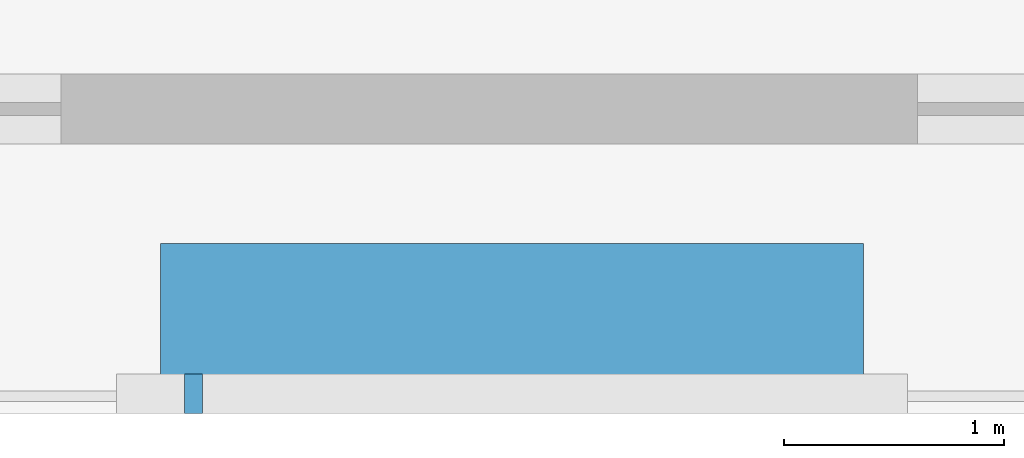
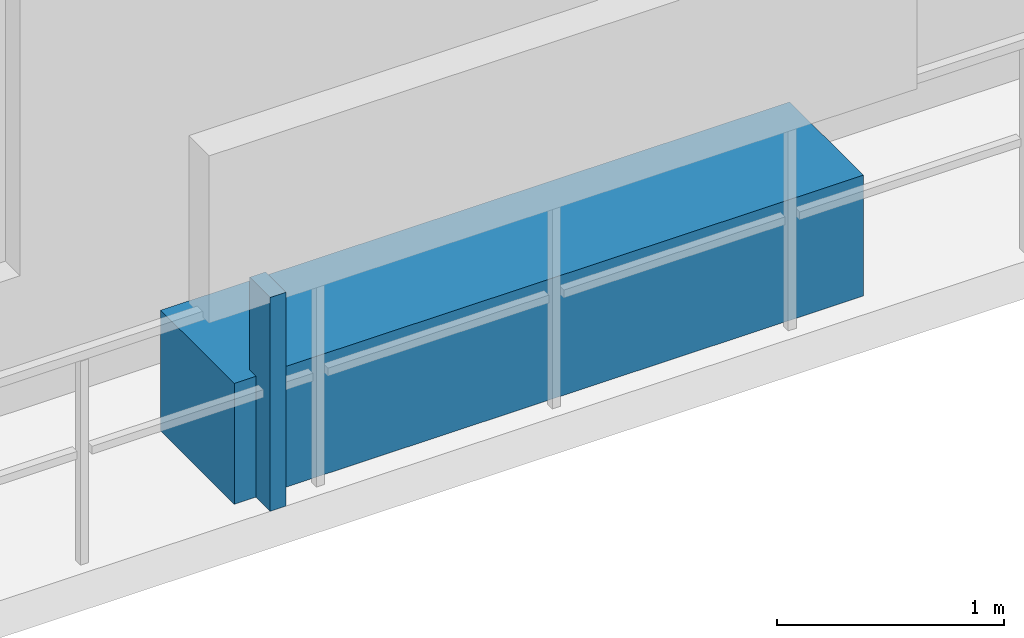
# One storey, part 28 of 33: 2 discrete accessories.
"""IFC4 building model written with IfcOpenShell, lengths in metres."""

import ifcopenshell
import ifcopenshell.guid

model = None  # the IFC model being written
_history = None  # IfcOwnerHistory: only IFC2X3 demands one
_inside = {}  # id of a spatial element -> (the spatial element, [elements in it])
_under = {}  # id of a project, library or spatial element -> (it, [spatial elements below it])
_declared = {}  # id of a project -> (the project, [libraries it declares])
_typed = {}  # id of a type object -> (the type object, [elements of that type])
_made_of = {}  # id of a material, layer set ... -> (it, [elements and type objects made of it])


def new_model(schema):
    """Start an empty IFC model of exactly this schema.

    Asked for "IFC4X3", IfcOpenShell would pick the latest addendum, in which some entities
    have other attributes; the version numbers below select the first issue.
    IFC2X3 requires an IfcOwnerHistory on every rooted entity: one is made here for all.
    """
    global model, _history
    if schema == "IFC4X3":
        model = ifcopenshell.file(schema_version=(4, 3, 0, 0))
    else:
        model = ifcopenshell.file(schema=schema)
    _inside.clear()
    _under.clear()
    _declared.clear()
    _typed.clear()
    _made_of.clear()
    _history = None
    if model.schema == "IFC2X3":
        org = make("IfcOrganization", Name="unknown")
        user = make(
            "IfcPersonAndOrganization",
            ThePerson=make("IfcPerson", FamilyName="unknown"),
            TheOrganization=org,
        )
        app = make(
            "IfcApplication",
            ApplicationDeveloper=org,
            Version="unknown",
            ApplicationFullName="unknown",
            ApplicationIdentifier="unknown",
        )
        _history = make(
            "IfcOwnerHistory",
            OwningUser=user,
            OwningApplication=app,
            ChangeAction="ADDED",
            CreationDate=0,
        )
    return model


def make(cls, **values):
    """One entity of the class cls with the attributes given. An attribute that is None is left unset."""
    return model.create_entity(
        cls, **{name: value for name, value in values.items() if value is not None}
    )


def rooted(cls, **values):
    """An entity with a GlobalId (a new one), such as an element, a storey or a relation."""
    return make(cls, GlobalId=ifcopenshell.guid.new(), OwnerHistory=_history, **values)


def si_unit(unit_type, name, prefix=None):
    """IfcSIUnit, for example si_unit("LENGTHUNIT", "METRE", prefix="MILLI")."""
    return make("IfcSIUnit", UnitType=unit_type, Prefix=prefix, Name=name)


def assignment(units):
    """IfcUnitAssignment: the units of a project."""
    return None if units is None else make("IfcUnitAssignment", Units=units)


def point(xyz):
    """IfcCartesianPoint."""
    return None if xyz is None else make("IfcCartesianPoint", Coordinates=xyz)


def direction(xyz):
    """IfcDirection."""
    return None if xyz is None else make("IfcDirection", DirectionRatios=xyz)


def frame(location, z_axis=None, x_axis=None):
    """IfcAxis2Placement3D, a coordinate frame: its origin and axes. An axis left out is left unset."""
    return make(
        "IfcAxis2Placement3D",
        Location=point(location),
        Axis=direction(z_axis),
        RefDirection=direction(x_axis),
    )


def frame_2d(location, x_axis=None):
    """IfcAxis2Placement2D, a coordinate frame in the plane: its origin and x axis."""
    return make(
        "IfcAxis2Placement2D", Location=point(location), RefDirection=direction(x_axis)
    )


def origin():
    """The frame at (0, 0, 0) with its axes left unset."""
    return frame((0.0, 0.0, 0.0))


def origin_2d():
    """The frame at (0, 0) in the plane with its x axis left unset."""
    return frame_2d((0.0, 0.0))


def place(relative_to, where):
    """IfcLocalPlacement: puts the frame where relative to a parent placement (None: the world)."""
    return make(
        "IfcLocalPlacement", PlacementRelTo=relative_to, RelativePlacement=where
    )


def context(
    kind, dimensions, precision=None, world=None, true_north=None, identifier=None
):
    """IfcGeometricRepresentationContext, for example the 3D "Model" context."""
    return make(
        "IfcGeometricRepresentationContext",
        ContextIdentifier=identifier,
        ContextType=kind,
        CoordinateSpaceDimension=dimensions,
        Precision=precision,
        WorldCoordinateSystem=world,
        TrueNorth=true_north,
    )


def subcontext(parent, identifier, kind, view, scale=None):
    """IfcGeometricRepresentationSubContext, for example "Body" below "Model"."""
    return make(
        "IfcGeometricRepresentationSubContext",
        ContextIdentifier=identifier,
        ContextType=kind,
        ParentContext=parent,
        TargetScale=scale,
        TargetView=view,
    )


def project(units=None, contexts=None):
    """IfcProject with its units and contexts."""
    return rooted(
        "IfcProject",
        Name="project",
        RepresentationContexts=contexts,
        UnitsInContext=assignment(units),
    )


def spatial(cls, under=None, at=None, **own):
    """A site, building, storey or space (cls), placed at a placement, below another one or the project."""
    s = rooted(cls, ObjectPlacement=at, **own)
    if under is not None:
        _under.setdefault(under.id(), (under, []))[1].append(s)
    return s


def profile(cls, at=None, kind="AREA", **sizes):
    """A parametric profile (cls). Its sizes go by their IFC names, for example OverallWidth=200.0."""
    return make(cls, ProfileType=kind, Position=at, **sizes)


def rectangle(**sizes):
    """IfcRectangleProfileDef."""
    return profile("IfcRectangleProfileDef", **sizes)


def extrude(swept, where, along, depth):
    """IfcExtrudedAreaSolid: the profile swept, set in the frame where, extruded along a direction by depth."""
    return make(
        "IfcExtrudedAreaSolid",
        SweptArea=swept,
        Position=where,
        ExtrudedDirection=direction(along),
        Depth=depth,
    )


def shape(context_of_items, identifier, shape_type, items):
    """IfcShapeRepresentation: the items that make up one representation, for example the "Body"."""
    return make(
        "IfcShapeRepresentation",
        ContextOfItems=context_of_items,
        RepresentationIdentifier=identifier,
        RepresentationType=shape_type,
        Items=items,
    )


def material(Name=None, Category=None):
    """IfcMaterial."""
    return make("IfcMaterial", Name=Name, Category=Category)


def made_of(thing, what):
    """Note that an element or type object is made of a material, layer set ...; save() writes the relation."""
    if what is not None:
        _made_of.setdefault(what.id(), (what, []))[1].append(thing)
    return thing


def type_object(cls, material=None, **own):
    """A type object (cls), such as IfcWallType, which elements share."""
    return made_of(rooted(cls, **own), material)


def element(
    cls,
    number,
    at=None,
    inside=None,
    cuts=None,
    type_object=None,
    material=None,
    context=None,
    identifier="Body",
    shape_type=None,
    held_by="IfcProductDefinitionShape",
    body=None,
    shapes=None,
    **own,
):
    """One element of the class cls, such as IfcWall. Its Tag is "e" and its number.

    at: its placement. inside: the storey or other place that contains it. cuts: it is an
    opening in that element (IfcRelVoidsElement). A single representation is given by context,
    identifier, shape_type and body (its items); several are given by shapes. held_by: the class
    of the entity that holds the representations. save() writes the other relations.
    """
    e = rooted(cls, Tag="e%d" % number, ObjectPlacement=at, **own)
    if body is not None:
        shapes = [shape(context, identifier, shape_type, body)]
    if shapes is not None:
        e.Representation = make(held_by, Representations=shapes)
    if inside is not None:
        _inside.setdefault(inside.id(), (inside, []))[1].append(e)
    if cuts is not None:
        rooted(
            "IfcRelVoidsElement", RelatingBuildingElement=cuts, RelatedOpeningElement=e
        )
    if type_object is not None:
        _typed.setdefault(type_object.id(), (type_object, []))[1].append(e)
    return made_of(e, material)


def aggregate(whole, parts):
    """IfcRelAggregates: a whole, such as a stair, and the parts it consists of."""
    return rooted("IfcRelAggregates", RelatingObject=whole, RelatedObjects=parts)


def save(model, path):
    """Write the relations noted so far, then the file.

    IfcRelAggregates (storeys below a building ...), IfcRelContainedInSpatialStructure (elements
    in a storey), IfcRelDefinesByType, IfcRelAssociatesMaterial and IfcRelDeclares: one each for
    every whole, place, type object, material and project.
    """
    for whole, parts in _under.values():
        aggregate(whole, parts)
    for where, things in _inside.values():
        rooted(
            "IfcRelContainedInSpatialStructure",
            RelatedElements=things,
            RelatingStructure=where,
        )
    for kind, things in _typed.values():
        rooted("IfcRelDefinesByType", RelatedObjects=things, RelatingType=kind)
    for what, things in _made_of.values():
        rooted("IfcRelAssociatesMaterial", RelatedObjects=things, RelatingMaterial=what)
    for by, libraries in _declared.values():
        rooted("IfcRelDeclares", RelatingContext=by, RelatedDefinitions=libraries)
    model.write(path)


model = new_model("IFC4")

# Units and contexts
model_context = context("Model", 3, precision=1e-05, world=origin(), true_north=direction((0.0, 1.0)))
body_context = subcontext(model_context, "Body", "Model", "MODEL_VIEW")
ifc_project = project(units=[si_unit("LENGTHUNIT", "METRE"), si_unit("AREAUNIT", "SQUARE_METRE"), si_unit("VOLUMEUNIT", "CUBIC_METRE"), si_unit("PLANEANGLEUNIT", "RADIAN"), si_unit("MASSUNIT", "GRAM", prefix="KILO")], contexts=[model_context])

# Site, building, storey
site_placement = place(None, origin())
site = spatial("IfcSite", under=ifc_project, at=site_placement, CompositionType="ELEMENT")
building_placement = place(site_placement, origin())
building = spatial("IfcBuilding", under=site, at=building_placement, Name="Thornwick Lancets Civic Towers", CompositionType="ELEMENT")
storey_placement = place(building_placement, frame((0.0, 0.0, 159.89990234375)))
storey = spatial("IfcBuildingStorey", under=building, at=storey_placement, Name="L42", CompositionType="ELEMENT", Elevation=159.89990234375)

# Discrete accessories
ifc_material_1 = material(Name="Planted terracotta greenery planter", Category="masonry")
discrete_accessory_type_1 = type_object("IfcDiscreteAccessoryType", Name="ACC_PLANTER_BOX", PredefinedType="USERDEFINED", material=ifc_material_1)
discrete_accessory_1_placement = place(storey_placement, frame((25.5, 2.300048828125, 0.000244140625), z_axis=(0.0, 0.0, 1.0), x_axis=(1.0, 0.0, 0.0)))
element("IfcDiscreteAccessory", 1, at=discrete_accessory_1_placement, inside=storey, type_object=discrete_accessory_type_1, Name="L42 Tower A Balcony Greenery Planter S", ObjectType="PLANTER", PredefinedType="USERDEFINED", context=body_context, shape_type="SweptSolid", body=[
    extrude(rectangle(XDim=3.199951171875, YDim=0.64990234375, at=origin_2d()), origin(), (0.0, 0.0, 1.0), 0.64990234375),
])
ifc_material_2 = material(Name="Stainless steel S355", Category="steel")
discrete_accessory_type_2 = type_object("IfcDiscreteAccessoryType", Name="ACC_SCREEN_BRACKET", PredefinedType="BRACKET", material=ifc_material_2)
discrete_accessory_2_placement = place(storey_placement, frame((24.050048828125, 1.93994140625, 0.000244140625), z_axis=(0.0, 0.0, 1.0), x_axis=(1.0, 0.0, 0.0)))
element("IfcDiscreteAccessory", 2, at=discrete_accessory_2_placement, inside=storey, type_object=discrete_accessory_type_2, Name="L42 Tower A Balcony Screen Stanchion Bracket S-1", PredefinedType="BRACKET", context=body_context, shape_type="SweptSolid", body=[
    extrude(rectangle(XDim=0.080078125, YDim=0.179931640625, at=origin_2d()), origin(), (0.0, 0.0, 1.0), 1.14990234375),
])

save(model, "model.ifc")
